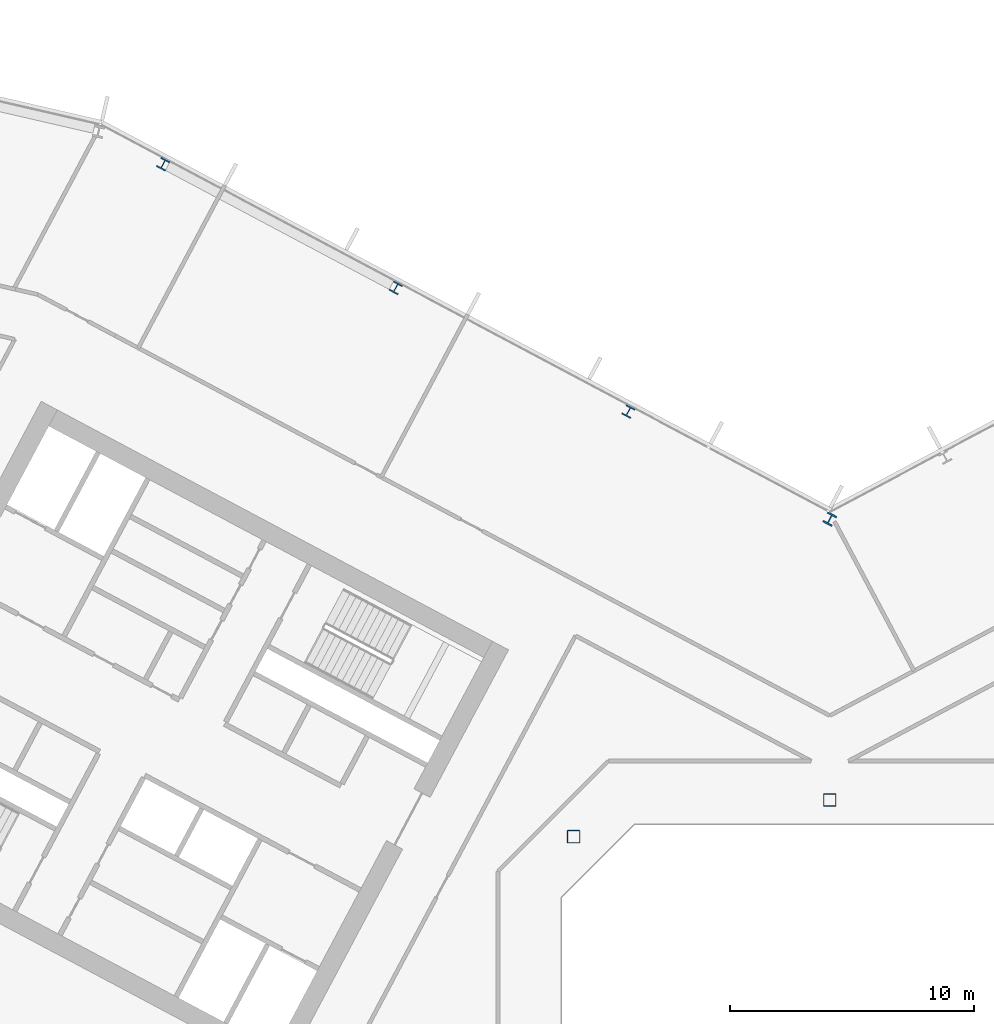
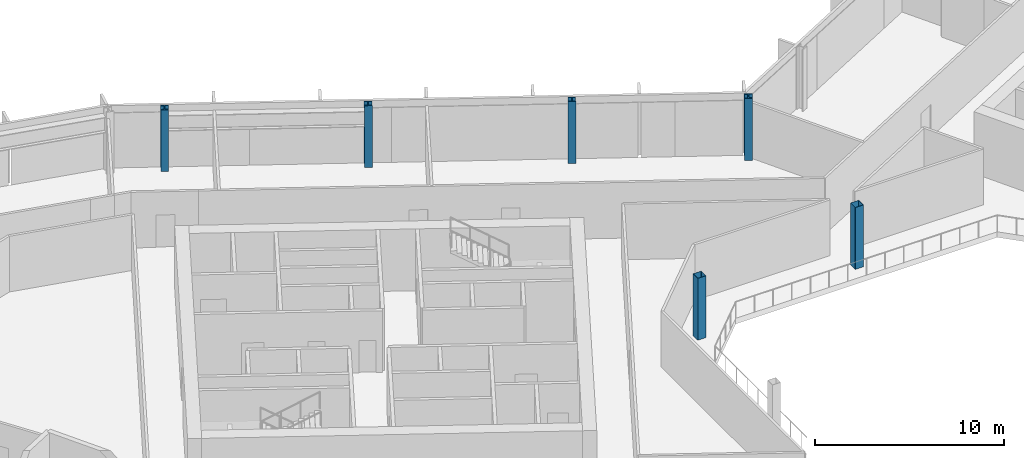
# One storey, part 4 of 28: 6 columns.
"""IFC4 building model written with IfcOpenShell, lengths in metres."""

import ifcopenshell
import ifcopenshell.guid

model = None  # the IFC model being written
_history = None  # IfcOwnerHistory: only IFC2X3 demands one
_inside = {}  # id of a spatial element -> (the spatial element, [elements in it])
_under = {}  # id of a project, library or spatial element -> (it, [spatial elements below it])
_declared = {}  # id of a project -> (the project, [libraries it declares])
_typed = {}  # id of a type object -> (the type object, [elements of that type])
_made_of = {}  # id of a material, layer set ... -> (it, [elements and type objects made of it])


def new_model(schema):
    """Start an empty IFC model of exactly this schema.

    Asked for "IFC4X3", IfcOpenShell would pick the latest addendum, in which some entities
    have other attributes; the version numbers below select the first issue.
    IFC2X3 requires an IfcOwnerHistory on every rooted entity: one is made here for all.
    """
    global model, _history
    if schema == "IFC4X3":
        model = ifcopenshell.file(schema_version=(4, 3, 0, 0))
    else:
        model = ifcopenshell.file(schema=schema)
    _inside.clear()
    _under.clear()
    _declared.clear()
    _typed.clear()
    _made_of.clear()
    _history = None
    if model.schema == "IFC2X3":
        org = make("IfcOrganization", Name="unknown")
        user = make(
            "IfcPersonAndOrganization",
            ThePerson=make("IfcPerson", FamilyName="unknown"),
            TheOrganization=org,
        )
        app = make(
            "IfcApplication",
            ApplicationDeveloper=org,
            Version="unknown",
            ApplicationFullName="unknown",
            ApplicationIdentifier="unknown",
        )
        _history = make(
            "IfcOwnerHistory",
            OwningUser=user,
            OwningApplication=app,
            ChangeAction="ADDED",
            CreationDate=0,
        )
    return model


def make(cls, **values):
    """One entity of the class cls with the attributes given. An attribute that is None is left unset."""
    return model.create_entity(
        cls, **{name: value for name, value in values.items() if value is not None}
    )


def rooted(cls, **values):
    """An entity with a GlobalId (a new one), such as an element, a storey or a relation."""
    return make(cls, GlobalId=ifcopenshell.guid.new(), OwnerHistory=_history, **values)


def si_unit(unit_type, name, prefix=None):
    """IfcSIUnit, for example si_unit("LENGTHUNIT", "METRE", prefix="MILLI")."""
    return make("IfcSIUnit", UnitType=unit_type, Prefix=prefix, Name=name)


def assignment(units):
    """IfcUnitAssignment: the units of a project."""
    return None if units is None else make("IfcUnitAssignment", Units=units)


def point(xyz):
    """IfcCartesianPoint."""
    return None if xyz is None else make("IfcCartesianPoint", Coordinates=xyz)


def direction(xyz):
    """IfcDirection."""
    return None if xyz is None else make("IfcDirection", DirectionRatios=xyz)


def frame(location, z_axis=None, x_axis=None):
    """IfcAxis2Placement3D, a coordinate frame: its origin and axes. An axis left out is left unset."""
    return make(
        "IfcAxis2Placement3D",
        Location=point(location),
        Axis=direction(z_axis),
        RefDirection=direction(x_axis),
    )


def frame_2d(location, x_axis=None):
    """IfcAxis2Placement2D, a coordinate frame in the plane: its origin and x axis."""
    return make(
        "IfcAxis2Placement2D", Location=point(location), RefDirection=direction(x_axis)
    )


def origin():
    """The frame at (0, 0, 0) with its axes left unset."""
    return frame((0.0, 0.0, 0.0))


def origin_2d():
    """The frame at (0, 0) in the plane with its x axis left unset."""
    return frame_2d((0.0, 0.0))


def place(relative_to, where):
    """IfcLocalPlacement: puts the frame where relative to a parent placement (None: the world)."""
    return make(
        "IfcLocalPlacement", PlacementRelTo=relative_to, RelativePlacement=where
    )


def context(
    kind, dimensions, precision=None, world=None, true_north=None, identifier=None
):
    """IfcGeometricRepresentationContext, for example the 3D "Model" context."""
    return make(
        "IfcGeometricRepresentationContext",
        ContextIdentifier=identifier,
        ContextType=kind,
        CoordinateSpaceDimension=dimensions,
        Precision=precision,
        WorldCoordinateSystem=world,
        TrueNorth=true_north,
    )


def subcontext(parent, identifier, kind, view, scale=None):
    """IfcGeometricRepresentationSubContext, for example "Body" below "Model"."""
    return make(
        "IfcGeometricRepresentationSubContext",
        ContextIdentifier=identifier,
        ContextType=kind,
        ParentContext=parent,
        TargetScale=scale,
        TargetView=view,
    )


def project(units=None, contexts=None):
    """IfcProject with its units and contexts."""
    return rooted(
        "IfcProject",
        Name="project",
        RepresentationContexts=contexts,
        UnitsInContext=assignment(units),
    )


def spatial(cls, under=None, at=None, **own):
    """A site, building, storey or space (cls), placed at a placement, below another one or the project."""
    s = rooted(cls, ObjectPlacement=at, **own)
    if under is not None:
        _under.setdefault(under.id(), (under, []))[1].append(s)
    return s


def profile(cls, at=None, kind="AREA", **sizes):
    """A parametric profile (cls). Its sizes go by their IFC names, for example OverallWidth=200.0."""
    return make(cls, ProfileType=kind, Position=at, **sizes)


def hollow_rectangle(**sizes):
    """IfcRectangleHollowProfileDef."""
    return profile("IfcRectangleHollowProfileDef", **sizes)


def i_section(**sizes):
    """IfcIShapeProfileDef."""
    return profile("IfcIShapeProfileDef", **sizes)


def extrude(swept, where, along, depth):
    """IfcExtrudedAreaSolid: the profile swept, set in the frame where, extruded along a direction by depth."""
    return make(
        "IfcExtrudedAreaSolid",
        SweptArea=swept,
        Position=where,
        ExtrudedDirection=direction(along),
        Depth=depth,
    )


def shape(context_of_items, identifier, shape_type, items):
    """IfcShapeRepresentation: the items that make up one representation, for example the "Body"."""
    return make(
        "IfcShapeRepresentation",
        ContextOfItems=context_of_items,
        RepresentationIdentifier=identifier,
        RepresentationType=shape_type,
        Items=items,
    )


def material(Name=None, Category=None):
    """IfcMaterial."""
    return make("IfcMaterial", Name=Name, Category=Category)


def material_profile(
    of_material, cross_section, Name=None, Category=None, Priority=None
):
    """IfcMaterialProfile: a cross section and its material."""
    return make(
        "IfcMaterialProfile",
        Name=Name,
        Material=of_material,
        Profile=cross_section,
        Priority=Priority,
        Category=Category,
    )


def profile_set(profiles, Name=None, composite=None):
    """IfcMaterialProfileSet."""
    return make(
        "IfcMaterialProfileSet",
        Name=Name,
        MaterialProfiles=profiles,
        CompositeProfile=composite,
    )


def made_of(thing, what):
    """Note that an element or type object is made of a material, layer set ...; save() writes the relation."""
    if what is not None:
        _made_of.setdefault(what.id(), (what, []))[1].append(thing)
    return thing


def type_object(cls, material=None, **own):
    """A type object (cls), such as IfcWallType, which elements share."""
    return made_of(rooted(cls, **own), material)


def element(
    cls,
    number,
    at=None,
    inside=None,
    cuts=None,
    type_object=None,
    material=None,
    context=None,
    identifier="Body",
    shape_type=None,
    held_by="IfcProductDefinitionShape",
    body=None,
    shapes=None,
    **own,
):
    """One element of the class cls, such as IfcWall. Its Tag is "e" and its number.

    at: its placement. inside: the storey or other place that contains it. cuts: it is an
    opening in that element (IfcRelVoidsElement). A single representation is given by context,
    identifier, shape_type and body (its items); several are given by shapes. held_by: the class
    of the entity that holds the representations. save() writes the other relations.
    """
    e = rooted(cls, Tag="e%d" % number, ObjectPlacement=at, **own)
    if body is not None:
        shapes = [shape(context, identifier, shape_type, body)]
    if shapes is not None:
        e.Representation = make(held_by, Representations=shapes)
    if inside is not None:
        _inside.setdefault(inside.id(), (inside, []))[1].append(e)
    if cuts is not None:
        rooted(
            "IfcRelVoidsElement", RelatingBuildingElement=cuts, RelatedOpeningElement=e
        )
    if type_object is not None:
        _typed.setdefault(type_object.id(), (type_object, []))[1].append(e)
    return made_of(e, material)


def aggregate(whole, parts):
    """IfcRelAggregates: a whole, such as a stair, and the parts it consists of."""
    return rooted("IfcRelAggregates", RelatingObject=whole, RelatedObjects=parts)


def save(model, path):
    """Write the relations noted so far, then the file.

    IfcRelAggregates (storeys below a building ...), IfcRelContainedInSpatialStructure (elements
    in a storey), IfcRelDefinesByType, IfcRelAssociatesMaterial and IfcRelDeclares: one each for
    every whole, place, type object, material and project.
    """
    for whole, parts in _under.values():
        aggregate(whole, parts)
    for where, things in _inside.values():
        rooted(
            "IfcRelContainedInSpatialStructure",
            RelatedElements=things,
            RelatingStructure=where,
        )
    for kind, things in _typed.values():
        rooted("IfcRelDefinesByType", RelatedObjects=things, RelatingType=kind)
    for what, things in _made_of.values():
        rooted("IfcRelAssociatesMaterial", RelatedObjects=things, RelatingMaterial=what)
    for by, libraries in _declared.values():
        rooted("IfcRelDeclares", RelatingContext=by, RelatedDefinitions=libraries)
    model.write(path)


model = new_model("IFC4")

# Units and contexts
model_context = context("Model", 3, precision=1e-05, world=origin(), true_north=direction((0.0, 1.0)))
body_context = subcontext(model_context, "Body", "Model", "MODEL_VIEW")
ifc_project = project(units=[si_unit("LENGTHUNIT", "METRE"), si_unit("AREAUNIT", "SQUARE_METRE"), si_unit("VOLUMEUNIT", "CUBIC_METRE"), si_unit("PLANEANGLEUNIT", "RADIAN"), si_unit("MASSUNIT", "GRAM", prefix="KILO")], contexts=[model_context])

# Site, building, storey
site_placement = place(None, origin())
site = spatial("IfcSite", under=ifc_project, at=site_placement, CompositionType="ELEMENT")
building_placement = place(site_placement, origin())
building = spatial("IfcBuilding", under=site, at=building_placement, Name="Cormorant Relay Tower", CompositionType="ELEMENT")
storey_placement = place(building_placement, frame((0.0, 0.0, 174.199951171875)))
storey = spatial("IfcBuildingStorey", under=building, at=storey_placement, Name="L37", CompositionType="ELEMENT", Elevation=174.199951171875)

# Columns
ifc_material_1 = material(Name="Steel ASTM A500 Grade C (Fy 345 MPa)", Category="steel")
ifc_material_profile_1 = material_profile(ifc_material_1, hollow_rectangle(XDim=0.508056640625, YDim=0.508056640625, WallThickness=0.01171875, InnerFilletRadius=0.005859375, OuterFilletRadius=0.017822265625, at=origin_2d()), Name="HSS508x508x12")
ifc_profile_set_1 = profile_set([ifc_material_profile_1], Name="Steel ASTM A500 Grade C (Fy 345 MPa)")
column_type_1 = type_object("IfcColumnType", Name="Column HSS508x508x12", PredefinedType="COLUMN", material=ifc_profile_set_1)
for number, where, z_axis, x_axis, name in (
    (1, (-10.5, 10.5, 0.0), (0.0, 0.0, 1.0), (1.0, 0.0, 0.0), "Column L37-023"),
    (2, (0.0, 12.0, 0.0), (0.0, 0.0, 1.0), (1.0, 0.0, 0.0), "Column L37-025"),
):
    element("IfcColumn", number, at=place(storey_placement, frame(where, z_axis=z_axis, x_axis=x_axis)), inside=storey, type_object=column_type_1, Name=name, PredefinedType="COLUMN", context=body_context, shape_type="SweptSolid", body=[
        extrude(hollow_rectangle(XDim=0.508056640625, YDim=0.508056640625, WallThickness=0.01171875, InnerFilletRadius=0.005859375, OuterFilletRadius=0.017822265625, at=origin_2d()), origin(), (0.0, 0.0, 1.0), 4.0),
    ])
ifc_material_2 = material(Name="Steel ASTM A992 (Fy 345 MPa)", Category="steel")
ifc_material_profile_2 = material_profile(ifc_material_2, i_section(OverallWidth=0.41162109375, OverallDepth=0.434326171875, WebThickness=0.035888671875, FlangeThickness=0.057373046875, FilletRadius=0.01513671875, at=origin_2d()), Name="W360x463")
ifc_profile_set_2 = profile_set([ifc_material_profile_2], Name="Steel ASTM A992 (Fy 345 MPa)")
column_type_2 = type_object("IfcColumnType", Name="Column W360x463", PredefinedType="COLUMN", material=ifc_profile_set_2)
for number, where, z_axis, x_axis, name in (
    (3, (-8.257080078125, 27.925048828125, 0.0), (0.0, 0.0, 1.0), (-0.882947592859, 0.469471562786, 0.0), "Column L37-036"),
    (4, (-17.7919921875, 32.9951171875, 0.0), (0.0, 0.0, 1.0), (-0.882947592859, 0.469471562786, 0.0), "Column L37-040"),
    (5, (-27.327880859375, 38.06494140625, 0.0), (0.0, 0.0, 1.0), (-0.882947592859, 0.469471562786, 0.0), "Column L37-044"),
):
    element("IfcColumn", number, at=place(storey_placement, frame(where, z_axis=z_axis, x_axis=x_axis)), inside=storey, type_object=column_type_2, Name=name, PredefinedType="COLUMN", context=body_context, shape_type="SweptSolid", body=[
        extrude(i_section(OverallWidth=0.41162109375, OverallDepth=0.434326171875, WebThickness=0.035888671875, FlangeThickness=0.057373046875, FilletRadius=0.01513671875, at=origin_2d()), origin(), (0.0, 0.0, 1.0), 4.0),
    ])
ifc_material_3 = material(Name="Steel ASTM A992 (Fy 345 MPa)", Category="steel")
ifc_material_profile_3 = material_profile(ifc_material_3, i_section(OverallWidth=0.42431640625, OverallDepth=0.47509765625, WebThickness=0.0478515625, FlangeThickness=0.0771484375, FilletRadius=0.014892578125, at=origin_2d()), Name="W360x634")
ifc_profile_set_3 = profile_set([ifc_material_profile_3], Name="Steel ASTM A992 (Fy 345 MPa)")
column_type_3 = type_object("IfcColumnType", Name="Column W360x634", PredefinedType="COLUMN", material=ifc_profile_set_3)
column_placement = place(storey_placement, frame((0.0, 23.513916015625, 0.0), z_axis=(0.0, 0.0, 1.0), x_axis=(-0.882947592859, 0.469471562786, 0.0)))
element("IfcColumn", 6, at=column_placement, inside=storey, type_object=column_type_3, Name="Column L37-032", PredefinedType="COLUMN", context=body_context, shape_type="SweptSolid", body=[
    extrude(i_section(OverallWidth=0.42431640625, OverallDepth=0.47509765625, WebThickness=0.0478515625, FlangeThickness=0.0771484375, FilletRadius=0.014892578125, at=origin_2d()), origin(), (0.0, 0.0, 1.0), 4.0),
])

save(model, "model.ifc")
